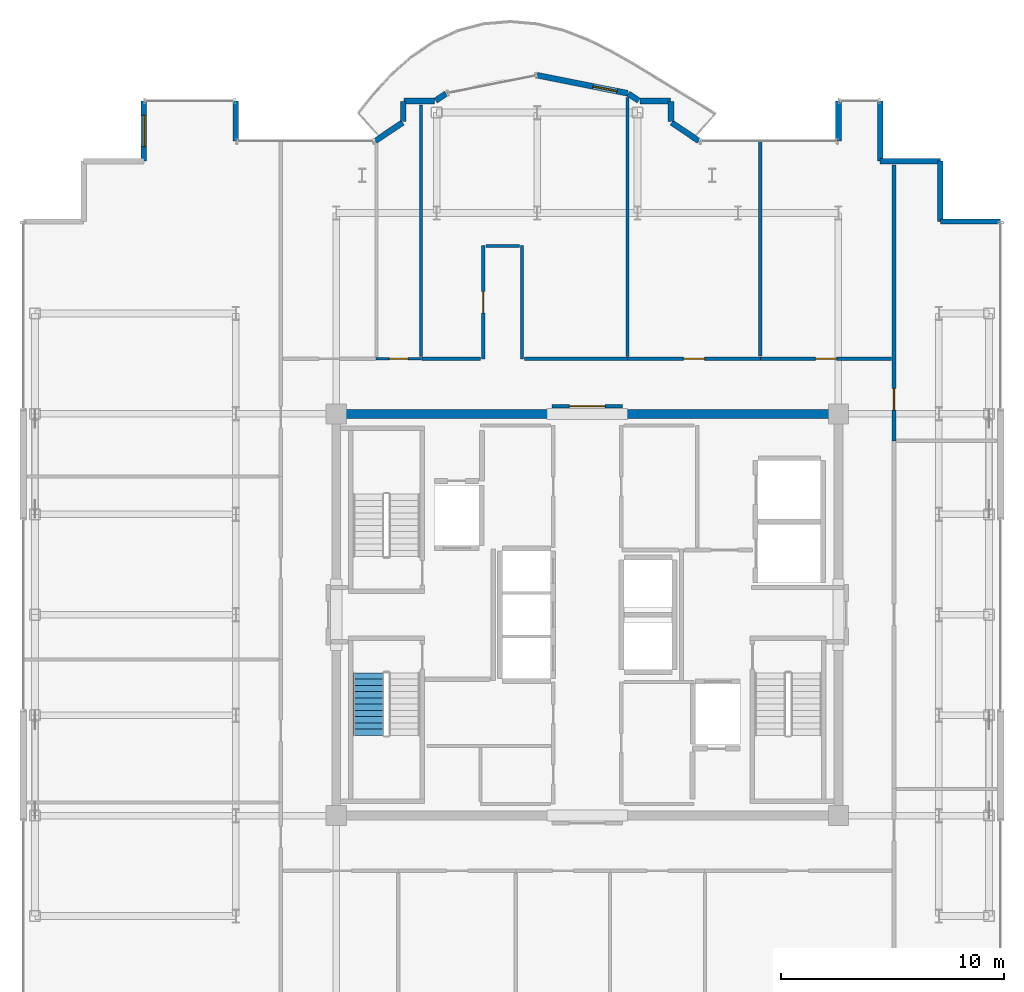
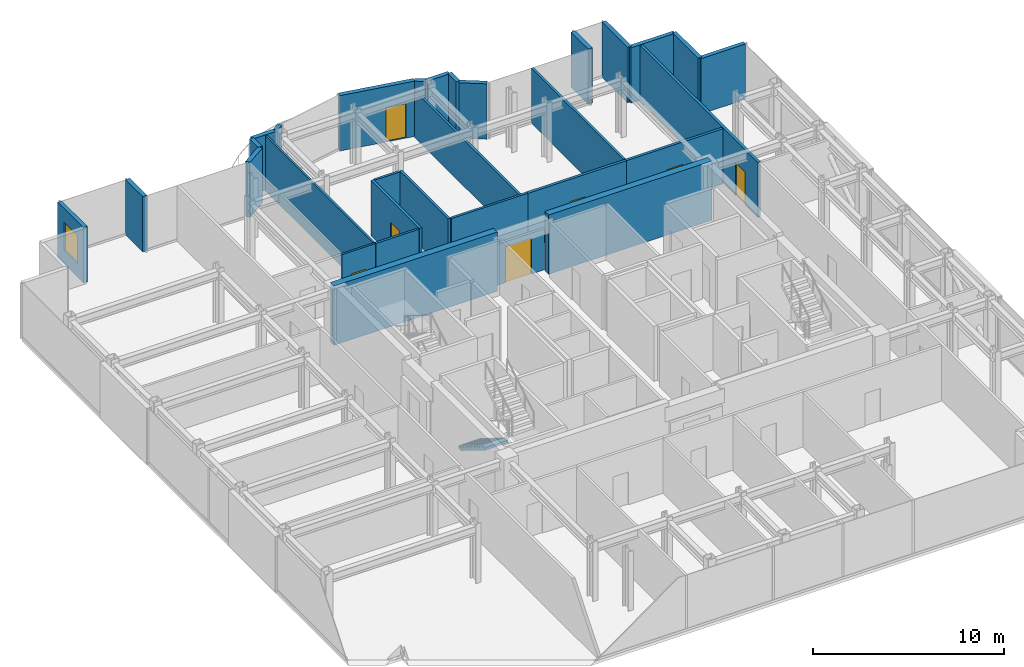
# One storey, part 14 of 16: 31 walls, 7 doors, 1 stair flight, 1 window, 8 openings, 1 element without a shape of its own.
"""IFC4 building model written with IfcOpenShell, lengths in metres."""

from ifc_helpers import new_model, si_unit, direction, frame, frame_2d, origin, place, context, subcontext, project, spatial, polyline, rectangle, outline, extrude, source, transform, mapped, material, layer, layer_set, type_object, element, fill, aggregate, save


model = new_model("IFC4")

# Units and contexts
model_context = context("Model", 3, precision=1e-05, world=origin(), true_north=direction((0.0, 1.0)))
body_context = subcontext(model_context, "Body", "Model", "MODEL_VIEW")
ifc_project = project(units=[si_unit("LENGTHUNIT", "METRE"), si_unit("AREAUNIT", "SQUARE_METRE"), si_unit("VOLUMEUNIT", "CUBIC_METRE"), si_unit("PLANEANGLEUNIT", "RADIAN"), si_unit("MASSUNIT", "GRAM", prefix="KILO")], contexts=[model_context])

# Site, building, storey
site_placement = place(None, origin())
site = spatial("IfcSite", under=ifc_project, at=site_placement, CompositionType="ELEMENT")
building_placement = place(site_placement, origin())
building = spatial("IfcBuilding", under=site, at=building_placement, Name="Nefas-Gora Pilgrimage Tower", CompositionType="ELEMENT")
storey_placement = place(building_placement, frame((0.0, 0.0, 322.39990234375)))
storey = spatial("IfcBuildingStorey", under=building, at=storey_placement, Name="L81", CompositionType="ELEMENT", Elevation=322.39990234375)

# Walls
ifc_material_1 = material(Name="Concrete C50/60", Category="concrete")
ifc_layer_1 = layer(ifc_material_1, 0.39990234375)
ifc_layer_set_1 = layer_set([ifc_layer_1], Name="Concrete C50/60")
wall_type_1 = type_object("IfcWallType", Name="SW-CORE-400", PredefinedType="SHEAR", material=ifc_layer_set_1)
shared_shape_1 = source(origin(), body_context, "Body", "SweptSolid", [
    extrude(rectangle(XDim=9.89990234375, YDim=0.39990234375, at=frame_2d((4.949951171875, 0.0))), origin(), (0.0, 0.0, 1.0), 3.800048828125),
])
for number, where, z_axis, x_axis, name in (
    (1, (-11.449951171875, 9.0, 0.0), (0.0, 0.0, 1.0), (1.0, 0.0, 0.0), "L81 Core Shear Wall N-West"),
    (2, (1.550048828125, 9.0, 0.0), (0.0, 0.0, 1.0), (1.0, 0.0, 0.0), "L81 Core Shear Wall N-East"),
):
    element("IfcWall", number, at=place(storey_placement, frame(where, z_axis=z_axis, x_axis=x_axis)), inside=storey, type_object=wall_type_1, Name=name, PredefinedType="SHEAR", context=body_context, shape_type="MappedRepresentation", body=[
        mapped(shared_shape_1, transform((0.0, 0.0, 0.0), x_axis=(1.0, 0.0, 0.0), y_axis=(0.0, 1.0, 0.0), z_axis=(0.0, 0.0, 1.0), scale=1.0)),
    ])
ifc_material_2 = material(Name="Precast concrete C40/50", Category="concrete")
ifc_layer_2 = layer(ifc_material_2, 0.260009765625)
ifc_layer_set_2 = layer_set([ifc_layer_2], Name="Precast concrete C40/50")
wall_type_2 = type_object("IfcWallType", Name="EW-PORTAL-260", PredefinedType="SOLIDWALL", material=ifc_layer_set_2)
shared_shape_2 = source(origin(), body_context, "Body", "SweptSolid", [
    extrude(rectangle(XDim=1.800048828125, YDim=0.260009765625, at=frame_2d((0.89990234375, 0.0))), origin(), (0.0, 0.0, 1.0), 3.550048828125),
])
for number, where, z_axis, x_axis, name in (
    (3, (11.25, 23.02001953125, 0.0), (0.0, 0.0, 1.0), (0.0, -1.0, 0.0), "L81 Lobe Shoulder Precast Spandrel Pier 10"),
    (4, (-15.75, 21.219970703125, 0.0), (0.0, 0.0, 1.0), (0.0, 1.0, 0.0), "L81 Lobe Shoulder Precast Spandrel Pier 20"),
):
    element("IfcWall", number, at=place(storey_placement, frame(where, z_axis=z_axis, x_axis=x_axis)), inside=storey, type_object=wall_type_2, Name=name, PredefinedType="SOLIDWALL", context=body_context, shape_type="MappedRepresentation", body=[
        mapped(shared_shape_2, transform((0.0, 0.0, 0.0), x_axis=(1.0, 0.0, 0.0), y_axis=(0.0, 1.0, 0.0), z_axis=(0.0, 0.0, 1.0), scale=1.0)),
    ])
ifc_material_3 = material(Name="Precast concrete C45/55", Category="concrete")
ifc_layer_3 = layer(ifc_material_3, 0.239990234375)
ifc_layer_set_3 = layer_set([ifc_layer_3], Name="Precast concrete C45/55")
wall_type_3 = type_object("IfcWallType", Name="EW-SERR-240", PredefinedType="SHEAR", material=ifc_layer_set_3)
shared_shape_3 = source(origin(), body_context, "Body", "SweptSolid", [
    extrude(rectangle(XDim=2.699951171875, YDim=0.239990234375, at=frame_2d((1.35009765625, 0.0))), origin(), (0.0, 0.0, 1.0), 3.550048828125),
])
for number, where, z_axis, x_axis, name in (
    (5, (18.52001953125, 17.6201171875, 0.0), (0.0, 0.0, 1.0), (-1.0, 0.0, 0.0), "L81 Serrated Corner Shear Pier Wall 6"),
    (6, (15.820068359375, 17.6201171875, 0.0), (0.0, 0.0, 1.0), (0.0, 1.0, 0.0), "L81 Serrated Corner Shear Pier Wall 7"),
    (7, (15.820068359375, 20.320068359375, 0.0), (0.0, 0.0, 1.0), (-1.0, 0.0, 0.0), "L81 Serrated Corner Shear Pier Wall 8"),
    (8, (13.1201171875, 20.320068359375, 0.0), (0.0, 0.0, 1.0), (0.0, 1.0, 0.0), "L81 Serrated Corner Shear Pier Wall 9"),
):
    element("IfcWall", number, at=place(storey_placement, frame(where, z_axis=z_axis, x_axis=x_axis)), inside=storey, type_object=wall_type_3, Name=name, PredefinedType="SHEAR", context=body_context, shape_type="MappedRepresentation", body=[
        mapped(shared_shape_3, transform((0.0, 0.0, 0.0), x_axis=(1.0, 0.0, 0.0), y_axis=(0.0, 1.0, 0.0), z_axis=(0.0, 0.0, 1.0), scale=1.0)),
    ])

# Wall, opening, window
wall_1_placement = place(storey_placement, frame((-19.8701171875, 23.02001953125, 0.0), z_axis=(0.0, 0.0, 1.0), x_axis=(0.0, -1.0, 0.0)))
wall_1 = element("IfcWall", 9, at=wall_1_placement, inside=storey, type_object=wall_type_3, Name="L81 Serrated Corner Shear Pier Wall 21", PredefinedType="SHEAR", context=body_context, shape_type="MappedRepresentation", body=[
    mapped(shared_shape_3, transform((0.0, 0.0, 0.0), x_axis=(1.0, 0.0, 0.0), y_axis=(0.0, 1.0, 0.0), z_axis=(0.0, 0.0, 1.0), scale=1.0)),
])
opening_1_placement = place(wall_1_placement, frame((0.64990234375, 0.0, 0.85009765625)))
opening_1 = element("IfcOpeningElement", 10, at=opening_1_placement, cuts=wall_1, Name="Opening W-V2", PredefinedType="OPENING", context=body_context, shape_type="SweptSolid", body=[
    extrude(rectangle(XDim=1.39990234375, YDim=1.800048828125, at=frame_2d((0.699951171875, 0.89990234375))), frame((0.0, 0.1298828125, 0.0), z_axis=(0.0, -1.0, 0.0), x_axis=(1.0, 0.0, 0.0)), (0.0, 0.0, 1.0), 0.260009765625),
])
ifc_material_4 = material(Name="Dark ceramic-fritted operable aluminium-glass window", Category="aluminium")
window_type = type_object("IfcWindowType", Name="WIN-VENT-1400x1800", PartitioningType="SINGLE_PANEL", PredefinedType="WINDOW", material=ifc_material_4)
shared_shape_4 = source(origin(), body_context, "Body", "SweptSolid", [
    extrude(rectangle(XDim=1.39990234375, YDim=1.800048828125, at=frame_2d((0.699951171875, 0.89990234375))), frame((0.0, 0.030029296875, 0.0), z_axis=(0.0, -1.0, 0.0), x_axis=(1.0, 0.0, 0.0)), (0.0, 0.0, 1.0), 0.06005859375),
])
window_placement = place(opening_1_placement, origin())
window = element("IfcWindow", 11, at=window_placement, inside=storey, type_object=window_type, Name="L81 Operable Parallel-Outswing Window 21", OverallHeight=1.800048828125, OverallWidth=1.39990234375, PartitioningType="SINGLE_PANEL", PredefinedType="WINDOW", context=body_context, shape_type="MappedRepresentation", body=[
    mapped(shared_shape_4, transform((0.0, 0.0, 0.0), x_axis=(1.0, 0.0, 0.0), y_axis=(0.0, 1.0, 0.0), z_axis=(0.0, 0.0, 1.0), scale=1.0)),
])
fill(opening_1, window)

# Walls
shared_shape_5 = source(origin(), body_context, "Body", "SweptSolid", [
    extrude(rectangle(XDim=1.468994140625, YDim=0.260009765625, at=frame_2d((0.734375, 0.0))), origin(), (0.0, 0.0, 1.0), 3.550048828125),
])
for number, where, z_axis, x_axis, name in (
    (12, (4.99462890625, 21.235595703125, 0.0), (0.0, 0.0, 1.0), (-0.831461760506, 0.555581983884, 0.0), "L81 Lobe Shoulder Precast Spandrel Pier 11"),
    (13, (-8.273193359375, 22.0517578125, 0.0), (0.0, 0.0, 1.0), (-0.831461760506, -0.555581983884, 0.0), "L81 Lobe Shoulder Precast Spandrel Pier 19"),
):
    element("IfcWall", number, at=place(storey_placement, frame(where, z_axis=z_axis, x_axis=x_axis)), inside=storey, type_object=wall_type_2, Name=name, PredefinedType="SOLIDWALL", context=body_context, shape_type="MappedRepresentation", body=[
        mapped(shared_shape_5, transform((0.0, 0.0, 0.0), x_axis=(1.0, 0.0, 0.0), y_axis=(0.0, 1.0, 0.0), z_axis=(0.0, 0.0, 1.0), scale=1.0)),
    ])
shared_shape_6 = source(origin(), body_context, "Body", "SweptSolid", [
    extrude(rectangle(XDim=0.896728515625, YDim=0.260009765625, at=frame_2d((0.4482421875, 0.0))), origin(), (0.0, 0.0, 1.0), 3.550048828125),
])
for number, where, z_axis, x_axis, name in (
    (14, (3.75, 22.09521484375, 0.0), (0.0, 0.0, 1.0), (0.0, 1.0, 0.0), "L81 Lobe Shoulder Precast Spandrel Pier 12"),
    (15, (-8.25, 22.991943359375, 0.0), (0.0, 0.0, 1.0), (0.0, -1.0, 0.0), "L81 Lobe Shoulder Precast Spandrel Pier 18"),
):
    element("IfcWall", number, at=place(storey_placement, frame(where, z_axis=z_axis, x_axis=x_axis)), inside=storey, type_object=wall_type_2, Name=name, PredefinedType="SOLIDWALL", context=body_context, shape_type="MappedRepresentation", body=[
        mapped(shared_shape_6, transform((0.0, 0.0, 0.0), x_axis=(1.0, 0.0, 0.0), y_axis=(0.0, 1.0, 0.0), z_axis=(0.0, 0.0, 1.0), scale=1.0)),
    ])
shared_shape_7 = source(origin(), body_context, "Body", "SweptSolid", [
    extrude(rectangle(XDim=1.369873046875, YDim=0.260009765625, at=frame_2d((0.68505859375, 0.0))), origin(), (0.0, 0.0, 1.0), 3.550048828125),
])
for number, where, z_axis, x_axis, name in (
    (16, (3.721923828125, 23.02001953125, 0.0), (0.0, 0.0, 1.0), (-1.0, 0.0, 0.0), "L81 Lobe Shoulder Precast Spandrel Pier 13"),
    (17, (-6.85205078125, 23.02001953125, 0.0), (0.0, 0.0, 1.0), (-1.0, 0.0, 0.0), "L81 Lobe Shoulder Precast Spandrel Pier 17"),
):
    element("IfcWall", number, at=place(storey_placement, frame(where, z_axis=z_axis, x_axis=x_axis)), inside=storey, type_object=wall_type_2, Name=name, PredefinedType="SOLIDWALL", context=body_context, shape_type="MappedRepresentation", body=[
        mapped(shared_shape_7, transform((0.0, 0.0, 0.0), x_axis=(1.0, 0.0, 0.0), y_axis=(0.0, 1.0, 0.0), z_axis=(0.0, 0.0, 1.0), scale=1.0)),
    ])
shared_shape_8 = source(origin(), body_context, "Body", "SweptSolid", [
    extrude(rectangle(XDim=0.5654296875, YDim=0.260009765625, at=frame_2d((0.28271484375, 0.0))), origin(), (0.0, 0.0, 1.0), 3.550048828125),
])
for number, where, z_axis, x_axis, name in (
    (18, (2.30078125, 23.03564453125, 0.0), (0.0, 0.0, 1.0), (-0.831651492666, 0.555297933317, 0.0), "L81 Lobe Shoulder Precast Spandrel Pier 14"),
    (19, (-6.33056640625, 23.349609375, 0.0), (0.0, 0.0, 1.0), (-0.831651492666, -0.555297933317, 0.0), "L81 Lobe Shoulder Precast Spandrel Pier 16"),
):
    element("IfcWall", number, at=place(storey_placement, frame(where, z_axis=z_axis, x_axis=x_axis)), inside=storey, type_object=wall_type_2, Name=name, PredefinedType="SOLIDWALL", context=body_context, shape_type="MappedRepresentation", body=[
        mapped(shared_shape_8, transform((0.0, 0.0, 0.0), x_axis=(1.0, 0.0, 0.0), y_axis=(0.0, 1.0, 0.0), z_axis=(0.0, 0.0, 1.0), scale=1.0)),
    ])

# Wall, opening, door
shared_shape_9 = source(origin(), body_context, "Body", "SweptSolid", [
    extrude(rectangle(XDim=4.136962890625, YDim=0.260009765625, at=frame_2d((2.068359375, 0.0))), origin(), (0.0, 0.0, 1.0), 3.550048828125),
])
wall_2_placement = place(storey_placement, frame((1.807373046875, 23.365234375, 0.0), z_axis=(0.0, 0.0, 1.0), x_axis=(-0.980782170794, 0.195105954428, 0.0)))
wall_2 = element("IfcWall", 20, at=wall_2_placement, inside=storey, type_object=wall_type_2, Name="L81 Insulated Terrace Portal Wall 15", PredefinedType="SOLIDWALL", context=body_context, shape_type="MappedRepresentation", body=[
    mapped(shared_shape_9, transform((0.0, 0.0, 0.0), x_axis=(1.0, 0.0, 0.0), y_axis=(0.0, 1.0, 0.0), z_axis=(0.0, 0.0, 1.0), scale=1.0)),
])
opening_2_placement = place(wall_2_placement, frame((0.48779296875, 0.0, 0.0)))
opening_2 = element("IfcOpeningElement", 21, at=opening_2_placement, cuts=wall_2, Name="Opening ED-B1", PredefinedType="OPENING", context=body_context, shape_type="SweptSolid", body=[
    extrude(rectangle(XDim=1.10009765625, YDim=2.199951171875, at=frame_2d((0.550048828125, 1.10009765625))), frame((0.0, 0.139892578125, 0.0), z_axis=(0.0, -1.0, 0.0), x_axis=(1.0, 0.0, 0.0)), (0.0, 0.0, 1.0), 0.280029296875),
])
ifc_material_5 = material(Name="Thermally broken glazed aluminium balcony door", Category="aluminium")
door_type_1 = type_object("IfcDoorType", Name="DR-EXT-BAL-1100", OperationType="NOTDEFINED", PredefinedType="DOOR", material=ifc_material_5)
shared_shape_10 = source(origin(), body_context, "Body", "SweptSolid", [
    extrude(rectangle(XDim=1.10009765625, YDim=2.199951171875, at=frame_2d((0.550048828125, 1.10009765625))), frame((0.0, 0.02490234375, 0.0), z_axis=(0.0, -1.0, 0.0), x_axis=(1.0, 0.0, 0.0)), (0.0, 0.0, 1.0), 0.050048828125),
])
door_1_placement = place(opening_2_placement, origin())
door_1 = element("IfcDoor", 22, at=door_1_placement, inside=storey, type_object=door_type_1, Name="L81 Exterior Door (L81 N Lobe Wave Balcony)", OperationType="SINGLE_SWING_RIGHT", OverallHeight=2.199951171875, OverallWidth=1.10009765625, PredefinedType="DOOR", context=body_context, shape_type="MappedRepresentation", body=[
    mapped(shared_shape_10, transform((0.0, 0.0, 0.0), x_axis=(1.0, 0.0, 0.0), y_axis=(0.0, 1.0, 0.0), z_axis=(0.0, 0.0, 1.0), scale=1.0)),
])
fill(opening_2, door_1)

ifc_material_6 = material(Name="Moisture-resistant fire-rated gypsum partition")
ifc_layer_4 = layer(ifc_material_6, 0.1201171875)
ifc_layer_set_4 = layer_set([ifc_layer_4], Name="Moisture-resistant fire-rated gypsum partition")
wall_type_4 = type_object("IfcWallType", Name="IW-WET-120", PredefinedType="PLUMBINGWALL", material=ifc_layer_set_4)
shared_shape_11 = source(origin(), body_context, "Body", "SweptSolid", [
    extrude(rectangle(XDim=2.02001953125, YDim=0.1201171875, at=frame_2d((1.010009765625, 0.0))), origin(), (0.0, 0.0, 1.0), 3.53515625),
])
wall_3_placement = place(storey_placement, frame((-9.4599609375, 11.469970703125, 0.0), z_axis=(0.0, 0.0, 1.0), x_axis=(1.0, 0.0, 0.0)))
wall_3 = element("IfcWall", 23, at=wall_3_placement, inside=storey, type_object=wall_type_4, Name="L81 Accessible Unisex WC Partition Wall 30", PredefinedType="PLUMBINGWALL", context=body_context, shape_type="MappedRepresentation", body=[
    mapped(shared_shape_11, transform((0.0, 0.0, 0.0), x_axis=(1.0, 0.0, 0.0), y_axis=(0.0, 1.0, 0.0), z_axis=(0.0, 0.0, 1.0), scale=1.0)),
])
opening_3_placement = place(wall_3_placement, frame((0.5849609375, 0.0, 0.0)))
opening_3 = element("IfcOpeningElement", 24, at=opening_3_placement, cuts=wall_3, Name="Opening ID-BT1", PredefinedType="OPENING", context=body_context, shape_type="SweptSolid", body=[
    extrude(rectangle(XDim=0.85009765625, YDim=2.10009765625, at=frame_2d((0.425048828125, 1.050048828125))), frame((0.0, 0.070068359375, 0.0), z_axis=(0.0, -1.0, 0.0), x_axis=(1.0, 0.0, 0.0)), (0.0, 0.0, 1.0), 0.14013671875),
])
ifc_material_7 = material(Name="Moisture-resistant fire-rated timber door", Category="wood")
door_type_2 = type_object("IfcDoorType", Name="DR-INT-BATH-850", OperationType="NOTDEFINED", PredefinedType="DOOR", material=ifc_material_7)
shared_shape_12 = source(origin(), body_context, "Body", "SweptSolid", [
    extrude(rectangle(XDim=0.85009765625, YDim=2.10009765625, at=frame_2d((0.425048828125, 1.050048828125))), frame((0.0, 0.02490234375, 0.0), z_axis=(0.0, -1.0, 0.0), x_axis=(1.0, 0.0, 0.0)), (0.0, 0.0, 1.0), 0.050048828125),
])
door_2_placement = place(opening_3_placement, origin())
door_2 = element("IfcDoor", 25, at=door_2_placement, inside=storey, type_object=door_type_2, Name="L81 Accessible Unisex WC Door 13", OperationType="SINGLE_SWING_RIGHT", OverallHeight=2.10009765625, OverallWidth=0.85009765625, PredefinedType="DOOR", context=body_context, shape_type="MappedRepresentation", body=[
    mapped(shared_shape_12, transform((0.0, 0.0, 0.0), x_axis=(1.0, 0.0, 0.0), y_axis=(0.0, 1.0, 0.0), z_axis=(0.0, 0.0, 1.0), scale=1.0)),
])
fill(opening_3, door_2)

# Walls
shared_shape_13 = source(origin(), body_context, "Body", "SweptSolid", [
    extrude(rectangle(XDim=11.280029296875, YDim=0.1201171875, at=frame_2d((5.64013671875, 0.0))), origin(), (0.0, 0.0, 1.0), 3.53515625),
])
wall_4_placement = place(storey_placement, frame((-7.449951171875, 11.570068359375, 0.0), z_axis=(0.0, 0.0, 1.0), x_axis=(0.0, 1.0, 0.0)))
element("IfcWall", 26, at=wall_4_placement, inside=storey, type_object=wall_type_4, Name="L81 Accessible Unisex WC Partition Wall 31", PredefinedType="PLUMBINGWALL", context=body_context, shape_type="MappedRepresentation", body=[
    mapped(shared_shape_13, transform((0.0, 0.0, 0.0), x_axis=(1.0, 0.0, 0.0), y_axis=(0.0, 1.0, 0.0), z_axis=(0.0, 0.0, 1.0), scale=1.0)),
])
ifc_material_8 = material(Name="Gypsum twin-stud partition")
ifc_layer_5 = layer(ifc_material_8, 0.139892578125)
ifc_layer_set_5 = layer_set([ifc_layer_5], Name="Gypsum twin-stud partition")
wall_type_5 = type_object("IfcWallType", Name="IW-UNIT-140", PredefinedType="PARTITIONING", material=ifc_layer_set_5)
shared_shape_14 = source(origin(), body_context, "Body", "SweptSolid", [
    extrude(rectangle(XDim=9.64990234375, YDim=0.139892578125, at=frame_2d((4.824951171875, 0.0))), origin(), (0.0, 0.0, 1.0), 3.53515625),
])
wall_5_placement = place(storey_placement, frame((7.75, 11.590087890625, 0.0), z_axis=(0.0, 0.0, 1.0), x_axis=(0.0, 1.0, 0.0)))
element("IfcWall", 27, at=wall_5_placement, inside=storey, type_object=wall_type_5, Name="L81 Pilgrim Contemplative Lounge Partition Wall 53", PredefinedType="PARTITIONING", context=body_context, shape_type="MappedRepresentation", body=[
    mapped(shared_shape_14, transform((0.0, 0.0, 0.0), x_axis=(1.0, 0.0, 0.0), y_axis=(0.0, 1.0, 0.0), z_axis=(0.0, 0.0, 1.0), scale=1.0)),
])

# Wall, opening, door
ifc_material_9 = material(Name="Gypsum acoustic stud partition")
ifc_layer_6 = layer(ifc_material_9, 0.159912109375)
ifc_layer_set_6 = layer_set([ifc_layer_6], Name="Gypsum acoustic stud partition")
wall_type_6 = type_object("IfcWallType", Name="IW-CORR-160", PredefinedType="PARTITIONING", material=ifc_layer_set_6)
shared_shape_15 = source(origin(), body_context, "Body", "SweptSolid", [
    extrude(rectangle(XDim=3.16015625, YDim=0.159912109375, at=frame_2d((1.580078125, 0.0))), origin(), (0.0, 0.0, 1.0), 2.625),
])
wall_6_placement = place(storey_placement, frame((-1.580078125, 9.35009765625, 0.0), z_axis=(0.0, 0.0, 1.0), x_axis=(1.0, 0.0, 0.0)))
wall_6 = element("IfcWall", 28, at=wall_6_placement, inside=storey, type_object=wall_type_6, Name="L81 Central Lift Lobby North Portal Wall 16", PredefinedType="PARTITIONING", context=body_context, shape_type="MappedRepresentation", body=[
    mapped(shared_shape_15, transform((0.0, 0.0, 0.0), x_axis=(1.0, 0.0, 0.0), y_axis=(0.0, 1.0, 0.0), z_axis=(0.0, 0.0, 1.0), scale=1.0)),
])
opening_4_placement = place(wall_6_placement, frame((0.780029296875, 0.0, 0.0)))
opening_4 = element("IfcOpeningElement", 29, at=opening_4_placement, cuts=wall_6, Name="Opening ID-HL1", PredefinedType="OPENING", context=body_context, shape_type="SweptSolid", body=[
    extrude(rectangle(XDim=1.60009765625, YDim=2.300048828125, at=frame_2d((0.800048828125, 1.14990234375))), frame((0.0, 0.08984375, 0.0), z_axis=(0.0, -1.0, 0.0), x_axis=(1.0, 0.0, 0.0)), (0.0, 0.0, 1.0), 0.179931640625),
])
ifc_material_10 = material(Name="Double acoustic timber assembly hall door", Category="wood")
door_type_3 = type_object("IfcDoorType", Name="DR-INT-HALL-1600", OperationType="DOUBLE_DOOR_SINGLE_SWING", PredefinedType="DOOR", material=ifc_material_10)
shared_shape_16 = source(origin(), body_context, "Body", "SweptSolid", [
    extrude(rectangle(XDim=1.60009765625, YDim=2.300048828125, at=frame_2d((0.800048828125, 1.14990234375))), frame((0.0, 0.02490234375, 0.0), z_axis=(0.0, -1.0, 0.0), x_axis=(1.0, 0.0, 0.0)), (0.0, 0.0, 1.0), 0.050048828125),
])
door_3_placement = place(opening_4_placement, origin())
door_3 = element("IfcDoor", 30, at=door_3_placement, inside=storey, type_object=door_type_3, Name="L81 Central Lift Lobby North Portal Door 6", OperationType="DOUBLE_DOOR_SINGLE_SWING", OverallHeight=2.300048828125, OverallWidth=1.60009765625, PredefinedType="DOOR", context=body_context, shape_type="MappedRepresentation", body=[
    mapped(shared_shape_16, transform((0.0, 0.0, 0.0), x_axis=(1.0, 0.0, 0.0), y_axis=(0.0, 1.0, 0.0), z_axis=(0.0, 0.0, 1.0), scale=1.0)),
])
fill(opening_4, door_3)

shared_shape_17 = source(origin(), body_context, "Body", "SweptSolid", [
    extrude(rectangle(XDim=5.080078125, YDim=0.159912109375, at=frame_2d((2.5400390625, 0.0))), origin(), (0.0, 0.0, 1.0), 3.53515625),
])
wall_7_placement = place(storey_placement, frame((-4.669921875, 11.4599609375, 0.0), z_axis=(0.0, 0.0, 1.0), x_axis=(0.0, 1.0, 0.0)))
wall_7 = element("IfcWall", 31, at=wall_7_placement, inside=storey, type_object=wall_type_6, Name="L81 Pilgrim Refectory Lounge Partition Wall 46", PredefinedType="PARTITIONING", context=body_context, shape_type="MappedRepresentation", body=[
    mapped(shared_shape_17, transform((0.0, 0.0, 0.0), x_axis=(1.0, 0.0, 0.0), y_axis=(0.0, 1.0, 0.0), z_axis=(0.0, 0.0, 1.0), scale=1.0)),
])
opening_5_placement = place(wall_7_placement, frame((2.06494140625, 0.0, 0.0)))
opening_5 = element("IfcOpeningElement", 32, at=opening_5_placement, cuts=wall_7, Name="Opening ID-GR1", PredefinedType="OPENING", context=body_context, shape_type="SweptSolid", body=[
    extrude(rectangle(XDim=0.949951171875, YDim=2.10009765625, at=frame_2d((0.47509765625, 1.050048828125))), frame((0.0, 0.08984375, 0.0), z_axis=(0.0, -1.0, 0.0), x_axis=(1.0, 0.0, 0.0)), (0.0, 0.0, 1.0), 0.179931640625),
])
ifc_material_11 = material(Name="Solid core oak fire-rated guest entrance door")
door_type_4 = type_object("IfcDoorType", Name="DR-INT-GUEST-950", OperationType="NOTDEFINED", PredefinedType="DOOR", material=ifc_material_11)
shared_shape_18 = source(origin(), body_context, "Body", "SweptSolid", [
    extrude(rectangle(XDim=0.949951171875, YDim=2.10009765625, at=frame_2d((0.47509765625, 1.050048828125))), frame((0.0, 0.02490234375, 0.0), z_axis=(0.0, -1.0, 0.0), x_axis=(1.0, 0.0, 0.0)), (0.0, 0.0, 1.0), 0.050048828125),
])
door_4_placement = place(opening_5_placement, origin())
door_4 = element("IfcDoor", 33, at=door_4_placement, inside=storey, type_object=door_type_4, Name="L81 Pilgrim Refectory Lounge Door 22", OperationType="SINGLE_SWING_LEFT", OverallHeight=2.10009765625, OverallWidth=0.949951171875, PredefinedType="DOOR", context=body_context, shape_type="MappedRepresentation", body=[
    mapped(shared_shape_18, transform((0.0, 0.0, 0.0), x_axis=(1.0, 0.0, 0.0), y_axis=(0.0, 1.0, 0.0), z_axis=(0.0, 0.0, 1.0), scale=1.0)),
])
fill(opening_5, door_4)

# Walls
shared_shape_19 = source(origin(), body_context, "Body", "SweptSolid", [
    extrude(rectangle(XDim=5.080078125, YDim=0.139892578125, at=frame_2d((2.5400390625, 0.0))), origin(), (0.0, 0.0, 1.0), 3.53515625),
])
wall_8_placement = place(storey_placement, frame((-2.929931640625, 11.4599609375, 0.0), z_axis=(0.0, 0.0, 1.0), x_axis=(0.0, 1.0, 0.0)))
element("IfcWall", 34, at=wall_8_placement, inside=storey, type_object=wall_type_5, Name="L81 Pilgrim Refectory Lounge Partition Wall 47", PredefinedType="PARTITIONING", context=body_context, shape_type="MappedRepresentation", body=[
    mapped(shared_shape_19, transform((0.0, 0.0, 0.0), x_axis=(1.0, 0.0, 0.0), y_axis=(0.0, 1.0, 0.0), z_axis=(0.0, 0.0, 1.0), scale=1.0)),
])
shared_shape_20 = source(origin(), body_context, "Body", "SweptSolid", [
    extrude(rectangle(XDim=4.625, YDim=0.139892578125, at=frame_2d((2.3125, 0.0))), origin(), (0.0, 0.0, 1.0), 3.53515625),
])
wall_9_placement = place(storey_placement, frame((-2.820068359375, 11.469970703125, 0.0), z_axis=(0.0, 0.0, 1.0), x_axis=(1.0, 0.0, 0.0)))
element("IfcWall", 35, at=wall_9_placement, inside=storey, type_object=wall_type_5, Name="L81 Pilgrim Refectory Lounge Partition Wall 48", PredefinedType="PARTITIONING", context=body_context, shape_type="MappedRepresentation", body=[
    mapped(shared_shape_20, transform((0.0, 0.0, 0.0), x_axis=(1.0, 0.0, 0.0), y_axis=(0.0, 1.0, 0.0), z_axis=(0.0, 0.0, 1.0), scale=1.0)),
])
shared_shape_21 = source(origin(), body_context, "Body", "SweptSolid", [
    extrude(rectangle(XDim=2.614990234375, YDim=0.139892578125, at=frame_2d((1.3076171875, 0.0))), origin(), (0.0, 0.0, 1.0), 3.53515625),
])
wall_10_placement = place(storey_placement, frame((-7.405029296875, 11.469970703125, 0.0), z_axis=(0.0, 0.0, 1.0), x_axis=(1.0, 0.0, 0.0)))
element("IfcWall", 36, at=wall_10_placement, inside=storey, type_object=wall_type_5, Name="L81 Pilgrim Refectory Lounge Partition Wall 49", PredefinedType="PARTITIONING", context=body_context, shape_type="MappedRepresentation", body=[
    mapped(shared_shape_21, transform((0.0, 0.0, 0.0), x_axis=(1.0, 0.0, 0.0), y_axis=(0.0, 1.0, 0.0), z_axis=(0.0, 0.0, 1.0), scale=1.0)),
])
shared_shape_22 = source(origin(), body_context, "Body", "SweptSolid", [
    extrude(rectangle(XDim=1.510009765625, YDim=0.139892578125, at=frame_2d((0.7548828125, 0.0))), origin(), (0.0, 0.0, 1.0), 3.53515625),
])
wall_11_placement = place(storey_placement, frame((-4.550048828125, 16.52001953125, 0.0), z_axis=(0.0, 0.0, 1.0), x_axis=(1.0, 0.0, 0.0)))
element("IfcWall", 37, at=wall_11_placement, inside=storey, type_object=wall_type_5, Name="L81 Pilgrim Refectory Lounge Partition Wall 50", PredefinedType="PARTITIONING", context=body_context, shape_type="MappedRepresentation", body=[
    mapped(shared_shape_22, transform((0.0, 0.0, 0.0), x_axis=(1.0, 0.0, 0.0), y_axis=(0.0, 1.0, 0.0), z_axis=(0.0, 0.0, 1.0), scale=1.0)),
])
shared_shape_23 = source(origin(), body_context, "Body", "SweptSolid", [
    extrude(rectangle(XDim=11.59130859375, YDim=0.139892578125, at=frame_2d((5.795654296875, 0.0))), origin(), (0.0, 0.0, 1.0), 2.97509765625),
])
wall_12_placement = place(storey_placement, frame((1.794921875, 11.580078125, 0.0), z_axis=(0.0, 0.0, 1.0), x_axis=(0.0, 1.0, 0.0)))
element("IfcWall", 38, at=wall_12_placement, inside=storey, type_object=wall_type_5, Name="L81 Pilgrim Refectory Lounge Partition Wall 51", PredefinedType="PARTITIONING", context=body_context, shape_type="MappedRepresentation", body=[
    mapped(shared_shape_23, transform((0.0, 0.0, 0.0), x_axis=(1.0, 0.0, 0.0), y_axis=(0.0, 1.0, 0.0), z_axis=(0.0, 0.0, 1.0), scale=1.0)),
])

# Wall, opening, door
shared_shape_24 = source(origin(), body_context, "Body", "SweptSolid", [
    extrude(rectangle(XDim=12.364990234375, YDim=0.159912109375, at=frame_2d((6.1826171875, 0.0))), origin(), (0.0, 0.0, 1.0), 3.53515625),
])
wall_13_placement = place(storey_placement, frame((13.739990234375, 7.794921875, 0.0), z_axis=(0.0, 0.0, 1.0), x_axis=(0.0, 1.0, 0.0)))
wall_13 = element("IfcWall", 39, at=wall_13_placement, inside=storey, type_object=wall_type_6, Name="L81 Pilgrim Fellowship Seminar Room Partition Wall 44", PredefinedType="PARTITIONING", context=body_context, shape_type="MappedRepresentation", body=[
    mapped(shared_shape_24, transform((0.0, 0.0, 0.0), x_axis=(1.0, 0.0, 0.0), y_axis=(0.0, 1.0, 0.0), z_axis=(0.0, 0.0, 1.0), scale=1.0)),
])
opening_6_placement = place(wall_13_placement, frame((1.382568359375, 0.0, 0.0)))
opening_6 = element("IfcOpeningElement", 40, at=opening_6_placement, cuts=wall_13, Name="Opening ID-GR1", PredefinedType="OPENING", context=body_context, shape_type="SweptSolid", body=[
    extrude(rectangle(XDim=0.949951171875, YDim=2.10009765625, at=frame_2d((0.47509765625, 1.050048828125))), frame((0.0, 0.08984375, 0.0), z_axis=(0.0, -1.0, 0.0), x_axis=(1.0, 0.0, 0.0)), (0.0, 0.0, 1.0), 0.179931640625),
])
door_5_placement = place(opening_6_placement, origin())
door_5 = element("IfcDoor", 41, at=door_5_placement, inside=storey, type_object=door_type_4, Name="L81 Pilgrim Fellowship Seminar Room Door 20", OperationType="SINGLE_SWING_LEFT", OverallHeight=2.10009765625, OverallWidth=0.949951171875, PredefinedType="DOOR", context=body_context, shape_type="MappedRepresentation", body=[
    mapped(shared_shape_18, transform((0.0, 0.0, 0.0), x_axis=(1.0, 0.0, 0.0), y_axis=(0.0, 1.0, 0.0), z_axis=(0.0, 0.0, 1.0), scale=1.0)),
])
fill(opening_6, door_5)

shared_shape_25 = source(origin(), body_context, "Body", "SweptSolid", [
    extrude(rectangle(XDim=5.965087890625, YDim=0.159912109375, at=frame_2d((2.982421875, 0.0))), origin(), (0.0, 0.0, 1.0), 3.53515625),
])
wall_14_placement = place(storey_placement, frame((1.794921875, 11.469970703125, 0.0), z_axis=(0.0, 0.0, 1.0), x_axis=(1.0, 0.0, 0.0)))
wall_14 = element("IfcWall", 42, at=wall_14_placement, inside=storey, type_object=wall_type_6, Name="L81 Pilgrim Contemplative Lounge Partition Wall 52", PredefinedType="PARTITIONING", context=body_context, shape_type="MappedRepresentation", body=[
    mapped(shared_shape_25, transform((0.0, 0.0, 0.0), x_axis=(1.0, 0.0, 0.0), y_axis=(0.0, 1.0, 0.0), z_axis=(0.0, 0.0, 1.0), scale=1.0)),
])
opening_7_placement = place(wall_14_placement, frame((2.507568359375, 0.0, 0.0)))
opening_7 = element("IfcOpeningElement", 43, at=opening_7_placement, cuts=wall_14, Name="Opening ID-GR1", PredefinedType="OPENING", context=body_context, shape_type="SweptSolid", body=[
    extrude(rectangle(XDim=0.949951171875, YDim=2.10009765625, at=frame_2d((0.47509765625, 1.050048828125))), frame((0.0, 0.08984375, 0.0), z_axis=(0.0, -1.0, 0.0), x_axis=(1.0, 0.0, 0.0)), (0.0, 0.0, 1.0), 0.179931640625),
])
door_6_placement = place(opening_7_placement, origin())
door_6 = element("IfcDoor", 44, at=door_6_placement, inside=storey, type_object=door_type_4, Name="L81 Pilgrim Contemplative Lounge Door 23", OperationType="SINGLE_SWING_RIGHT", OverallHeight=2.10009765625, OverallWidth=0.949951171875, PredefinedType="DOOR", context=body_context, shape_type="MappedRepresentation", body=[
    mapped(shared_shape_18, transform((0.0, 0.0, 0.0), x_axis=(1.0, 0.0, 0.0), y_axis=(0.0, 1.0, 0.0), z_axis=(0.0, 0.0, 1.0), scale=1.0)),
])
fill(opening_7, door_6)

shared_shape_26 = source(origin(), body_context, "Body", "SweptSolid", [
    extrude(rectangle(XDim=5.860107421875, YDim=0.159912109375, at=frame_2d((2.93017578125, 0.0))), origin(), (0.0, 0.0, 1.0), 3.53515625),
])
wall_15_placement = place(storey_placement, frame((7.760009765625, 11.469970703125, 0.0), z_axis=(0.0, 0.0, 1.0), x_axis=(1.0, 0.0, 0.0)))
wall_15 = element("IfcWall", 45, at=wall_15_placement, inside=storey, type_object=wall_type_6, Name="L81 Pilgrim Contemplative Lounge Partition Wall 54", PredefinedType="PARTITIONING", context=body_context, shape_type="MappedRepresentation", body=[
    mapped(shared_shape_26, transform((0.0, 0.0, 0.0), x_axis=(1.0, 0.0, 0.0), y_axis=(0.0, 1.0, 0.0), z_axis=(0.0, 0.0, 1.0), scale=1.0)),
])
opening_8_placement = place(wall_15_placement, frame((2.455078125, 0.0, 0.0)))
opening_8 = element("IfcOpeningElement", 46, at=opening_8_placement, cuts=wall_15, Name="Opening ID-GR1", PredefinedType="OPENING", context=body_context, shape_type="SweptSolid", body=[
    extrude(rectangle(XDim=0.949951171875, YDim=2.10009765625, at=frame_2d((0.47509765625, 1.050048828125))), frame((0.0, 0.08984375, 0.0), z_axis=(0.0, -1.0, 0.0), x_axis=(1.0, 0.0, 0.0)), (0.0, 0.0, 1.0), 0.179931640625),
])
door_7_placement = place(opening_8_placement, origin())
door_7 = element("IfcDoor", 47, at=door_7_placement, inside=storey, type_object=door_type_4, Name="L81 Pilgrim Contemplative Lounge Door 24", OperationType="SINGLE_SWING_LEFT", OverallHeight=2.10009765625, OverallWidth=0.949951171875, PredefinedType="DOOR", context=body_context, shape_type="MappedRepresentation", body=[
    mapped(shared_shape_18, transform((0.0, 0.0, 0.0), x_axis=(1.0, 0.0, 0.0), y_axis=(0.0, 1.0, 0.0), z_axis=(0.0, 0.0, 1.0), scale=1.0)),
])
fill(opening_8, door_7)

# Stair, stair flight
ifc_material_12 = material(Name="Concrete C45/55", Category="concrete")
stair_type = type_object("IfcStairType", Name="STR-1400-R1727", PredefinedType="HALF_TURN_STAIR", material=ifc_material_12)
stair_placement = place(storey_placement, origin())
stair = element("IfcStair", 48, at=stair_placement, inside=storey, type_object=stair_type, Name="L81 Pressurised Tower Exit Stair ST-03", PredefinedType="HALF_TURN_STAIR")
stair_flight_type = type_object("IfcStairFlightType", Name="STF-1400-R1727", PredefinedType="STRAIGHT", material=ifc_material_12)
shared_shape_27 = source(origin(), body_context, "Body", "SweptSolid", [
    extrude(outline(polyline([(0.0, 0.0), (0.0, 0.172607421875), (0.280029296875, 0.172607421875), (0.280029296875, 0.345458984375), (0.56005859375, 0.345458984375), (0.56005859375, 0.51806640625), (0.840087890625, 0.51806640625), (0.840087890625, 0.69091796875), (1.1201171875, 0.69091796875), (1.1201171875, 0.863525390625), (1.39990234375, 0.863525390625), (1.39990234375, 1.036376953125), (1.679931640625, 1.036376953125), (1.679931640625, 1.208984375), (1.9599609375, 1.208984375), (1.9599609375, 1.3818359375), (2.239990234375, 1.3818359375), (2.239990234375, 1.554443359375), (2.52001953125, 1.554443359375), (2.52001953125, 1.727294921875), (2.800048828125, 1.727294921875), (2.800048828125, 1.89990234375), (2.800048828125, 1.551025390625), (0.285400390625, 0.0), (0.0, 0.0)])), frame((0.0, 0.699951171875, 0.0), z_axis=(0.0, -1.0, 0.0), x_axis=(1.0, 0.0, 0.0)), (0.0, 0.0, 1.0), 1.39990234375),
])
stair_flight_placement = place(storey_placement, frame((-9.800048828125, -2.60009765625, 0.0), z_axis=(0.0, 0.0, 1.0), x_axis=(0.0, -1.0, 0.0)))
stair_flight = element("IfcStairFlight", 49, at=stair_flight_placement, type_object=stair_flight_type, Name="ST-03 flight 1", NumberOfRisers=11, NumberOfTreads=10, PredefinedType="STRAIGHT", RiserHeight=0.172727273, TreadLength=0.28, context=body_context, shape_type="MappedRepresentation", body=[
    mapped(shared_shape_27, transform((0.0, 0.0, 0.0), x_axis=(1.0, 0.0, 0.0), y_axis=(0.0, 1.0, 0.0), z_axis=(0.0, 0.0, 1.0), scale=1.0)),
])
aggregate(stair, [stair_flight])

save(model, "model.ifc")
